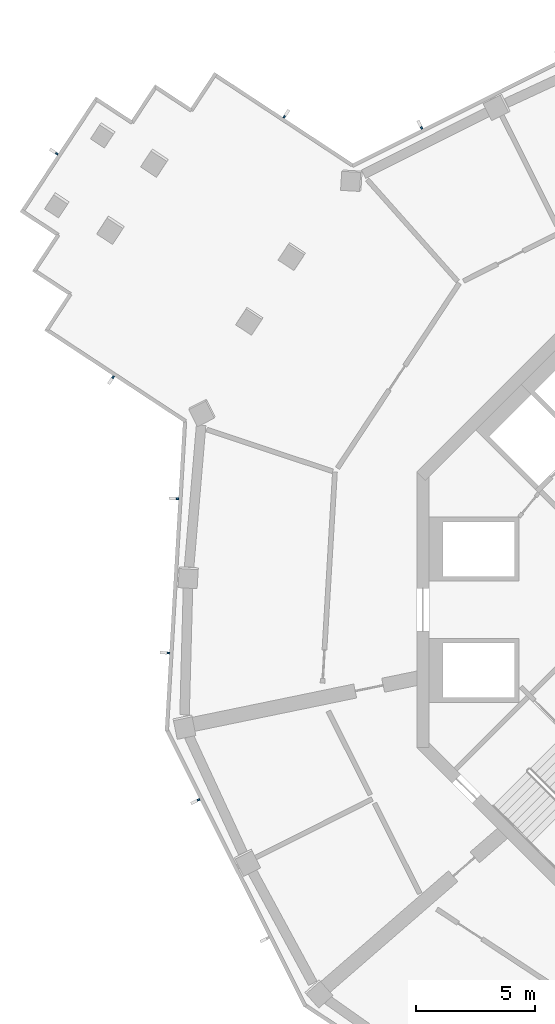
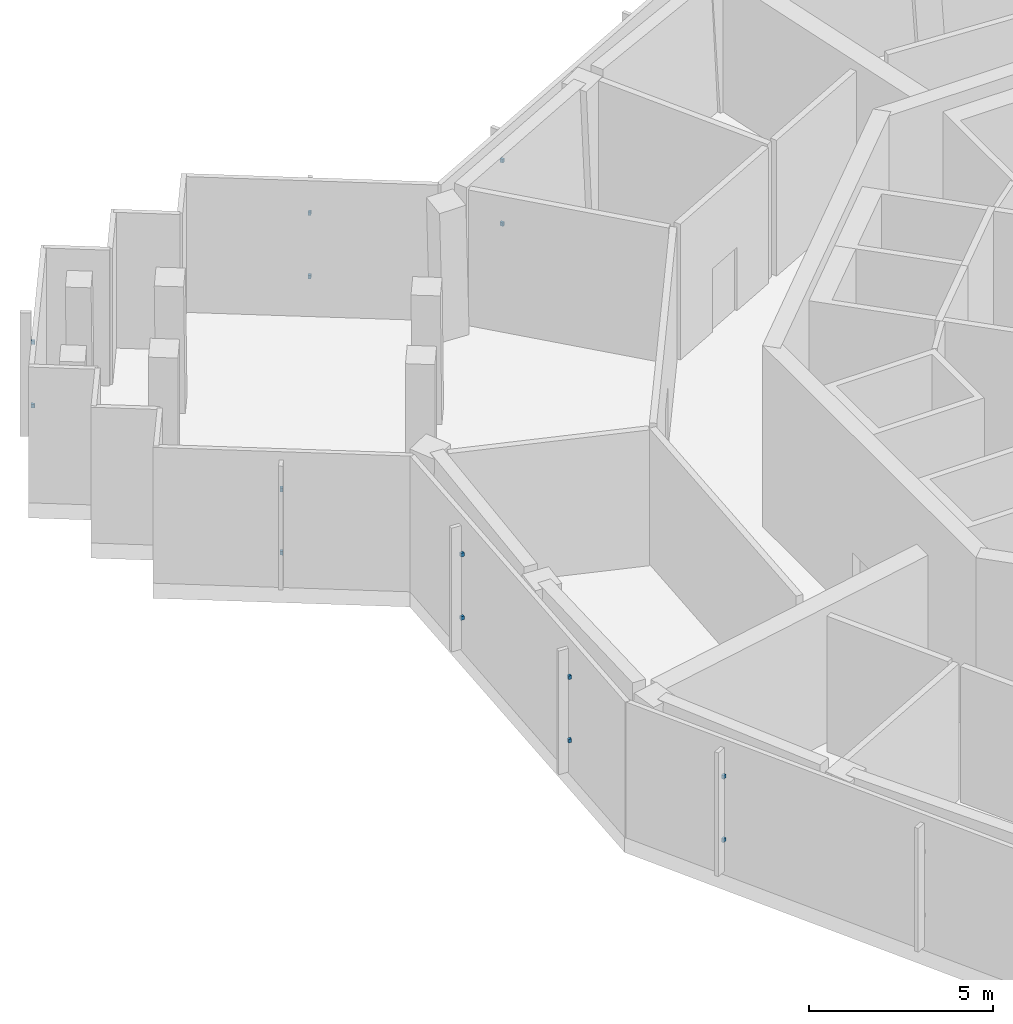
# One storey, part 7 of 16: 14 discrete accessories.
"""IFC4 building model written with IfcOpenShell, lengths in metres."""

from ifc_helpers import new_model, si_unit, direction, frame, origin, origin_2d, place, context, subcontext, project, spatial, rectangle, extrude, element, save


model = new_model("IFC4")

# Units and contexts
model_context = context("Model", 3, precision=1e-05, world=origin(), true_north=direction((0.0, 1.0)))
body_context = subcontext(model_context, "Body", "Model", "MODEL_VIEW")
ifc_project = project(units=[si_unit("LENGTHUNIT", "METRE"), si_unit("AREAUNIT", "SQUARE_METRE"), si_unit("VOLUMEUNIT", "CUBIC_METRE"), si_unit("PLANEANGLEUNIT", "RADIAN"), si_unit("MASSUNIT", "GRAM", prefix="KILO")], contexts=[model_context])

# Site, building, storey
site_placement = place(None, origin())
site = spatial("IfcSite", under=ifc_project, at=site_placement, CompositionType="ELEMENT")
building_placement = place(site_placement, origin())
building = spatial("IfcBuilding", under=site, at=building_placement, Name="Verdalira Terraces Hotel", CompositionType="ELEMENT")
storey_placement = place(building_placement, frame((0.0, 0.0, 263.0)))
storey = spatial("IfcBuildingStorey", under=building, at=storey_placement, Name="L65", CompositionType="ELEMENT", Elevation=263.0)

# Discrete accessories
for number, where, z_axis, x_axis, name in (
    (1, (-19.576416, 20.730957, 1.139893), (0.0, 0.0, 1.0), (-0.835231968, 0.549897772, 0.0), "Fin bracket"),
    (2, (-19.576416, 20.730957, 3.23999), (0.0, 0.0, 1.0), (-0.835231968, 0.549897772, 0.0), "Fin bracket"),
    (3, (-29.144043, 19.187744, 1.139893), (0.0, 0.0, 1.0), (-0.549897772, -0.835231968, 0.0), "Fin bracket"),
    (4, (-29.144043, 19.187744, 3.23999), (0.0, 0.0, 1.0), (-0.549897772, -0.835231968, 0.0), "Fin bracket"),
    (5, (-26.780273, 9.789307, 1.139893), (0.0, 0.0, 1.0), (0.835231968, -0.549897772, 0.0), "Fin bracket"),
    (6, (-26.780273, 9.789307, 3.23999), (0.0, 0.0, 1.0), (0.835231968, -0.549897772, 0.0), "Fin bracket"),
    (7, (-24.076172, 4.669189, 1.139893), (0.0, 0.0, 1.0), (-0.058609456, -0.998280988, 0.0), "Fin bracket"),
    (8, (-24.076172, 4.669189, 3.23999), (0.0, 0.0, 1.0), (-0.058609456, -0.998280988, 0.0), "Fin bracket"),
    (9, (-24.457031, -1.819824, 1.139893), (0.0, 0.0, 1.0), (-0.058609456, -0.998280988, 0.0), "Fin bracket"),
    (10, (-24.457031, -1.819824, 3.23999), (0.0, 0.0, 1.0), (-0.058609456, -0.998280988, 0.0), "Fin bracket"),
    (11, (-23.185059, -7.994385, 1.139893), (0.0, 0.0, 1.0), (0.448383216, -0.893841424, 0.0), "Fin bracket"),
    (12, (-23.185059, -7.994385, 3.23999), (0.0, 0.0, 1.0), (0.448383216, -0.893841424, 0.0), "Fin bracket"),
    (13, (-13.804443, 20.270508, 1.139893), (0.0, 0.0, 1.0), (-0.893841424, -0.448383216, 0.0), "Fin bracket"),
    (14, (-13.804443, 20.270508, 3.23999), (0.0, 0.0, 1.0), (-0.893841424, -0.448383216, 0.0), "Fin bracket"),
):
    element("IfcDiscreteAccessory", number, at=place(storey_placement, frame(where, z_axis=z_axis, x_axis=x_axis)), inside=storey, Name=name, PredefinedType="BRACKET", context=body_context, shape_type="SweptSolid", body=[
        extrude(rectangle(XDim=0.080078, YDim=0.100098, at=origin_2d()), origin(), (0.0, 0.0, 1.0), 0.120117),
    ])

save(model, "model.ifc")
